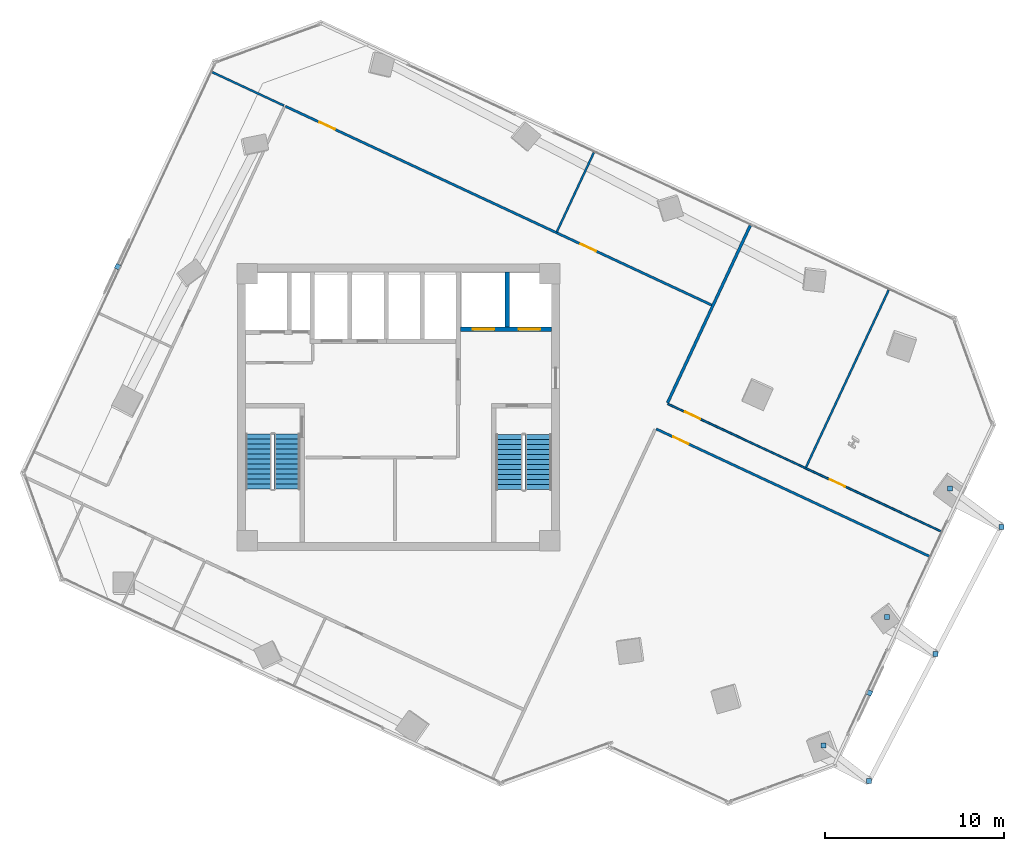
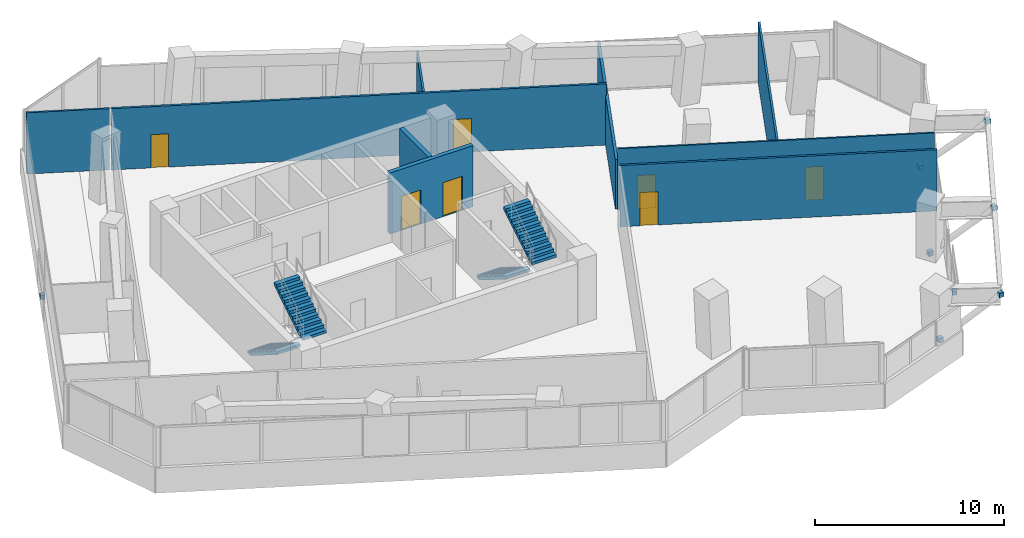
# One storey, part 17 of 21: 9 walls, 8 discrete accessories, 7 doors, 4 stair flights, 7 openings, 2 elements without a shape of their own.
"""IFC4 building model written with IfcOpenShell, lengths in metres."""

from ifc_helpers import new_model, si_unit, direction, frame, frame_2d, origin, origin_2d, place, context, subcontext, project, spatial, polyline, rectangle, outline, extrude, source, transform, mapped, material, layer, layer_set, type_object, element, fill, aggregate, save


model = new_model("IFC4")

# Units and contexts
model_context = context("Model", 3, precision=1e-05, world=origin(), true_north=direction((0.0, 1.0)))
body_context = subcontext(model_context, "Body", "Model", "MODEL_VIEW")
ifc_project = project(units=[si_unit("LENGTHUNIT", "METRE"), si_unit("AREAUNIT", "SQUARE_METRE"), si_unit("VOLUMEUNIT", "CUBIC_METRE"), si_unit("PLANEANGLEUNIT", "RADIAN"), si_unit("MASSUNIT", "GRAM", prefix="KILO")], contexts=[model_context])

# Site, building, storey
site_placement = place(None, origin())
site = spatial("IfcSite", under=ifc_project, at=site_placement, CompositionType="ELEMENT")
building_placement = place(site_placement, origin())
building = spatial("IfcBuilding", under=site, at=building_placement, Name="Torre Montelarca", CompositionType="ELEMENT")
storey_placement = place(building_placement, frame((0.0, 0.0, 162.39990234375)))
storey = spatial("IfcBuildingStorey", under=building, at=storey_placement, Name="L36", CompositionType="ELEMENT", Elevation=162.39990234375)

# Wall, openings, doors
ifc_material_1 = material(Name="Concrete C40/50", Category="concrete")
ifc_layer_1 = layer(ifc_material_1, 0.25, Name="Concrete C40/50", Category="concrete")
ifc_layer_set_1 = layer_set([ifc_layer_1], Name="Concrete C40/50")
wall_type_1 = type_object("IfcWallType", Name="CW-SHAFT-250", PredefinedType="SHEAR", material=ifc_layer_set_1)
wall_1_placement = place(storey_placement, frame((21.449951171875, 36.35009765625, 0.0), z_axis=(0.0, 0.0, 1.0), x_axis=(1.0, 0.0, 0.0)))
wall_1 = element("IfcWall", 1, at=wall_1_placement, inside=storey, type_object=wall_type_1, Name="L36 Core Shear Wall SH-FF-S", PredefinedType="SHEAR", context=body_context, shape_type="SweptSolid", body=[
    extrude(rectangle(XDim=5.090087890625, YDim=0.25, at=frame_2d((2.544921875, 0.0))), origin(), (0.0, 0.0, 1.0), 3.960205078125),
])
opening_1_placement = place(wall_1_placement, frame((0.699951171875, 0.0, 0.0)))
opening_1 = element("IfcOpeningElement", 2, at=opening_1_placement, cuts=wall_1, Name="Opening LD-120", PredefinedType="OPENING", context=body_context, shape_type="SweptSolid", body=[
    extrude(rectangle(XDim=1.199951171875, YDim=2.199951171875, at=frame_2d((0.60009765625, 1.10009765625))), frame((0.0, 0.135009765625, 0.0), z_axis=(0.0, -1.0, 0.0), x_axis=(1.0, 0.0, 0.0)), (0.0, 0.0, 1.0), 0.27001953125),
])
opening_2_placement = place(wall_1_placement, frame((3.25, 0.0, 0.0)))
opening_2 = element("IfcOpeningElement", 3, at=opening_2_placement, cuts=wall_1, Name="Opening LD-120", PredefinedType="OPENING", context=body_context, shape_type="SweptSolid", body=[
    extrude(rectangle(XDim=1.199951171875, YDim=2.199951171875, at=frame_2d((0.60009765625, 1.10009765625))), frame((0.0, 0.135009765625, 0.0), z_axis=(0.0, -1.0, 0.0), x_axis=(1.0, 0.0, 0.0)), (0.0, 0.0, 1.0), 0.27001953125),
])
ifc_material_2 = material(Name="Brushed stainless steel AISI 316", Category="steel")
door_type_1 = type_object("IfcDoorType", Name="DR-LIFT-120", OperationType="SLIDING_TO_RIGHT", PredefinedType="DOOR", material=ifc_material_2)
shared_shape_1 = source(origin(), body_context, "Body", "SweptSolid", [
    extrude(rectangle(XDim=1.199951171875, YDim=2.199951171875, at=frame_2d((0.60009765625, 1.10009765625))), frame((0.0, 0.02490234375, 0.0), z_axis=(0.0, -1.0, 0.0), x_axis=(1.0, 0.0, 0.0)), (0.0, 0.0, 1.0), 0.050048828125),
])
door_1_placement = place(opening_1_placement, origin())
door_1 = element("IfcDoor", 4, at=door_1_placement, inside=storey, type_object=door_type_1, Name="L36 Lift Landing Sliding Door FF-1", OperationType="SLIDING_TO_LEFT", OverallHeight=2.199951171875, OverallWidth=1.199951171875, PredefinedType="DOOR", context=body_context, shape_type="MappedRepresentation", body=[
    mapped(shared_shape_1, transform((0.0, 0.0, 0.0), scale=1.0)),
])
fill(opening_1, door_1)
door_2_placement = place(opening_2_placement, origin())
door_2 = element("IfcDoor", 5, at=door_2_placement, inside=storey, type_object=door_type_1, Name="L36 Lift Landing Sliding Door FF-2", OperationType="SLIDING_TO_RIGHT", OverallHeight=2.199951171875, OverallWidth=1.199951171875, PredefinedType="DOOR", context=body_context, shape_type="MappedRepresentation", body=[
    mapped(shared_shape_1, transform((0.0, 0.0, 0.0), scale=1.0)),
])
fill(opening_2, door_2)

# Walls
wall_2_placement = place(storey_placement, frame((24.080078125, 36.47998046875, 0.0), z_axis=(0.0, 0.0, 1.0), x_axis=(0.0, 1.0, 0.0)))
element("IfcWall", 6, at=wall_2_placement, inside=storey, type_object=wall_type_1, Name="L36 Core Shear Wall SH-FF-M", PredefinedType="SHEAR", context=body_context, shape_type="SweptSolid", body=[
    extrude(rectangle(XDim=3.06005859375, YDim=0.25, at=frame_2d((1.530029296875, 0.0))), origin(), (0.0, 0.0, 1.0), 3.960205078125),
])
ifc_material_3 = material(Name="Gypsum plasterboard on steel stud", Category="steel")
ifc_layer_2 = layer(ifc_material_3, 0.159912109375, Name="Gypsum plasterboard on steel stud", Category="steel")
ifc_layer_set_2 = layer_set([ifc_layer_2], Name="Gypsum plasterboard on steel stud")
wall_type_2 = type_object("IfcWallType", Name="PW-FIRE-160", PredefinedType="PARTITIONING", material=ifc_layer_set_2)
wall_3_placement = place(storey_placement, frame((33.01806640625, 32.234130859375, 0.0), z_axis=(0.0, 0.0, 1.0), x_axis=(0.422624006235, 0.906305108313, 0.0)))
element("IfcWall", 7, at=wall_3_placement, inside=storey, type_object=wall_type_2, Name="L36 Interior Partition W-L36-ECN", PredefinedType="PARTITIONING", context=body_context, shape_type="SweptSolid", body=[
    extrude(rectangle(XDim=10.940185546875, YDim=0.159912109375, at=frame_2d((5.47021484375, 0.0))), origin(), (0.0, 0.0, 1.0), 3.195068359375),
])

# Wall, openings, doors
ifc_material_4 = material(Name="Acoustic laminated glass partition", Category="glass")
ifc_layer_3 = layer(ifc_material_4, 0.10009765625, Name="Acoustic laminated glass partition", Category="glass")
ifc_layer_set_3 = layer_set([ifc_layer_3], Name="Acoustic laminated glass partition")
wall_type_3 = type_object("IfcWallType", Name="PW-GLAZ-100", PredefinedType="PARTITIONING", material=ifc_layer_set_3)
wall_4_placement = place(storey_placement, frame((33.03759765625, 32.180908203125, 0.0), z_axis=(0.0, 0.0, 1.0), x_axis=(0.906309400931, -0.422614800716, 0.0)))
wall_4 = element("IfcWall", 8, at=wall_4_placement, inside=storey, type_object=wall_type_3, Name="L36 Interior Partition W-L36-NE-S", PredefinedType="PARTITIONING", context=body_context, shape_type="SweptSolid", body=[
    extrude(rectangle(XDim=16.839599609375, YDim=0.10009765625, at=frame_2d((8.419921875, 0.0))), origin(), (0.0, 0.0, 1.0), 3.960205078125),
])
opening_3_placement = place(wall_4_placement, frame((1.050048828125, 0.0, 0.0)))
opening_3 = element("IfcOpeningElement", 9, at=opening_3_placement, cuts=wall_4, Name="Opening ID-095", PredefinedType="OPENING", context=body_context, shape_type="SweptSolid", body=[
    extrude(rectangle(XDim=0.949951171875, YDim=2.14990234375, at=frame_2d((0.47509765625, 1.074951171875))), frame((0.0, 0.06005859375, 0.0), z_axis=(0.0, -1.0, 0.0), x_axis=(1.0, 0.0, 0.0)), (0.0, 0.0, 1.0), 0.1201171875),
])
opening_4_placement = place(wall_4_placement, frame((9.97998046875, 0.0, 0.0)))
opening_4 = element("IfcOpeningElement", 10, at=opening_4_placement, cuts=wall_4, Name="Opening ID-095", PredefinedType="OPENING", context=body_context, shape_type="SweptSolid", body=[
    extrude(rectangle(XDim=0.949951171875, YDim=2.14990234375, at=frame_2d((0.47509765625, 1.074951171875))), frame((0.0, 0.06005859375, 0.0), z_axis=(0.0, -1.0, 0.0), x_axis=(1.0, 0.0, 0.0)), (0.0, 0.0, 1.0), 0.1201171875),
])
ifc_material_5 = material(Name="Hardwood acoustic timber veneer", Category="wood")
door_type_2 = type_object("IfcDoorType", Name="DR-INT-095", OperationType="NOTDEFINED", PredefinedType="DOOR", material=ifc_material_5)
shared_shape_2 = source(origin(), body_context, "Body", "SweptSolid", [
    extrude(rectangle(XDim=0.949951171875, YDim=2.14990234375, at=frame_2d((0.47509765625, 1.074951171875))), frame((0.0, 0.02490234375, 0.0), z_axis=(0.0, -1.0, 0.0), x_axis=(1.0, 0.0, 0.0)), (0.0, 0.0, 1.0), 0.050048828125),
])
door_3_placement = place(opening_3_placement, origin())
door_3 = element("IfcDoor", 11, at=door_3_placement, inside=storey, type_object=door_type_2, Name="L36 Interior Door 12", OperationType="SINGLE_SWING_LEFT", OverallHeight=2.14990234375, OverallWidth=0.949951171875, PredefinedType="DOOR", context=body_context, shape_type="MappedRepresentation", body=[
    mapped(shared_shape_2, transform((0.0, 0.0, 0.0), scale=1.0)),
])
fill(opening_3, door_3)
door_4_placement = place(opening_4_placement, origin())
door_4 = element("IfcDoor", 12, at=door_4_placement, inside=storey, type_object=door_type_2, Name="L36 Interior Door 13", OperationType="SINGLE_SWING_RIGHT", OverallHeight=2.14990234375, OverallWidth=0.949951171875, PredefinedType="DOOR", context=body_context, shape_type="MappedRepresentation", body=[
    mapped(shared_shape_2, transform((0.0, 0.0, 0.0), scale=1.0)),
])
fill(opening_4, door_4)

# Walls
ifc_layer_4 = layer(ifc_material_3, 0.114990234375, Name="Gypsum plasterboard on steel stud", Category="steel")
ifc_layer_set_4 = layer_set([ifc_layer_4], Name="Gypsum plasterboard on steel stud")
wall_type_4 = type_object("IfcWallType", Name="PW-PART-115", PredefinedType="PARTITIONING", material=ifc_layer_set_4)
wall_5_placement = place(storey_placement, frame((26.833984375, 41.782470703125, 0.0), z_axis=(0.0, 0.0, 1.0), x_axis=(0.422631768009, 0.906301488838, 0.0)))
element("IfcWall", 13, at=wall_5_placement, inside=storey, type_object=wall_type_4, Name="L36 Interior Partition W-L36-NDIV-1", PredefinedType="PARTITIONING", context=body_context, shape_type="SweptSolid", body=[
    extrude(rectangle(XDim=4.899658203125, YDim=0.114990234375, at=frame_2d((2.44970703125, 0.0))), origin(), (0.0, 0.0, 1.0), 3.195068359375),
])
wall_6_placement = place(storey_placement, frame((7.585205078125, 50.714111328125, 0.0), z_axis=(0.0, 0.0, 1.0), x_axis=(0.906295742894, -0.422644089526, 0.0)))
element("IfcWall", 14, at=wall_6_placement, inside=storey, type_object=wall_type_4, Name="L36 Interior Partition W-L36-WWGN", PredefinedType="PARTITIONING", context=body_context, shape_type="SweptSolid", body=[
    extrude(rectangle(XDim=4.429931640625, YDim=0.114990234375, at=frame_2d((2.21484375, 0.0))), origin(), (0.0, 0.0, 1.0), 3.960205078125),
])
wall_7_placement = place(storey_placement, frame((40.748779296875, 28.62939453125, 0.0), z_axis=(0.0, 0.0, 1.0), x_axis=(0.422632554077, 0.906301122274, 0.0)))
element("IfcWall", 15, at=wall_7_placement, inside=storey, type_object=wall_type_4, Name="L36 Interior Partition W-L36-NEDIV-1", PredefinedType="PARTITIONING", context=body_context, shape_type="SweptSolid", body=[
    extrude(rectangle(XDim=10.93994140625, YDim=0.114990234375, at=frame_2d((5.469970703125, 0.0))), origin(), (0.0, 0.0, 1.0), 3.960205078125),
])

# Wall, openings, doors
ifc_layer_5 = layer(ifc_material_3, 0.135009765625, Name="Gypsum plasterboard on steel stud", Category="steel")
ifc_layer_set_5 = layer_set([ifc_layer_5], Name="Gypsum plasterboard on steel stud")
wall_type_5 = type_object("IfcWallType", Name="PW-PART-135", PredefinedType="PARTITIONING", material=ifc_layer_set_5)
wall_8_placement = place(storey_placement, frame((11.672607421875, 48.80810546875, 0.0), z_axis=(0.0, 0.0, 1.0), x_axis=(0.906307085664, -0.422619765836, 0.0)))
wall_8 = element("IfcWall", 16, at=wall_8_placement, inside=storey, type_object=wall_type_5, Name="L36 Interior Partition W-L36-NBOT", PredefinedType="PARTITIONING", context=body_context, shape_type="SweptSolid", body=[
    extrude(rectangle(XDim=26.31005859375, YDim=0.135009765625, at=frame_2d((13.155029296875, 0.0))), origin(), (0.0, 0.0, 1.0), 3.960205078125),
])
opening_5_placement = place(wall_8_placement, frame((2.10009765625, 0.0, 0.0)))
opening_5 = element("IfcOpeningElement", 17, at=opening_5_placement, cuts=wall_8, Name="Opening ID-095", PredefinedType="OPENING", context=body_context, shape_type="SweptSolid", body=[
    extrude(rectangle(XDim=0.949951171875, YDim=2.14990234375, at=frame_2d((0.47509765625, 1.074951171875))), frame((0.0, 0.07763671875, 0.0), z_axis=(0.0, -1.0, 0.0), x_axis=(1.0, 0.0, 0.0)), (0.0, 0.0, 1.0), 0.155029296875),
])
opening_6_placement = place(wall_8_placement, frame((18.199951171875, 0.0, 0.0)))
opening_6 = element("IfcOpeningElement", 18, at=opening_6_placement, cuts=wall_8, Name="Opening ID-095", PredefinedType="OPENING", context=body_context, shape_type="SweptSolid", body=[
    extrude(rectangle(XDim=0.949951171875, YDim=2.14990234375, at=frame_2d((0.47509765625, 1.074951171875))), frame((0.0, 0.07763671875, 0.0), z_axis=(0.0, -1.0, 0.0), x_axis=(1.0, 0.0, 0.0)), (0.0, 0.0, 1.0), 0.155029296875),
])
door_5_placement = place(opening_5_placement, origin())
door_5 = element("IfcDoor", 19, at=door_5_placement, inside=storey, type_object=door_type_2, Name="L36 Interior Door 08", OperationType="SINGLE_SWING_LEFT", OverallHeight=2.14990234375, OverallWidth=0.949951171875, PredefinedType="DOOR", context=body_context, shape_type="MappedRepresentation", body=[
    mapped(shared_shape_2, transform((0.0, 0.0, 0.0), scale=1.0)),
])
fill(opening_5, door_5)
door_6_placement = place(opening_6_placement, origin())
door_6 = element("IfcDoor", 20, at=door_6_placement, inside=storey, type_object=door_type_2, Name="L36 Interior Door 09", OperationType="SINGLE_SWING_RIGHT", OverallHeight=2.14990234375, OverallWidth=0.949951171875, PredefinedType="DOOR", context=body_context, shape_type="MappedRepresentation", body=[
    mapped(shared_shape_2, transform((0.0, 0.0, 0.0), scale=1.0)),
])
fill(opening_6, door_6)

# Wall, opening, door
wall_9_placement = place(storey_placement, frame((32.38671875, 30.785400390625, 0.0), z_axis=(0.0, 0.0, 1.0), x_axis=(0.906303847891, -0.422626709163, 0.0)))
wall_9 = element("IfcWall", 21, at=wall_9_placement, inside=storey, type_object=wall_type_5, Name="L36 Interior Partition W-L36-SE-N", PredefinedType="PARTITIONING", context=body_context, shape_type="SweptSolid", body=[
    extrude(rectangle(XDim=16.83984375, YDim=0.135009765625, at=frame_2d((8.419921875, 0.0))), origin(), (0.0, 0.0, 1.0), 3.960205078125),
])
opening_7_placement = place(wall_9_placement, frame((1.050048828125, 0.0, 0.0)))
opening_7 = element("IfcOpeningElement", 22, at=opening_7_placement, cuts=wall_9, Name="Opening ID-095", PredefinedType="OPENING", context=body_context, shape_type="SweptSolid", body=[
    extrude(rectangle(XDim=0.949951171875, YDim=2.14990234375, at=frame_2d((0.47509765625, 1.074951171875))), frame((0.0, 0.07763671875, 0.0), z_axis=(0.0, -1.0, 0.0), x_axis=(1.0, 0.0, 0.0)), (0.0, 0.0, 1.0), 0.155029296875),
])
door_7_placement = place(opening_7_placement, origin())
door_7 = element("IfcDoor", 23, at=door_7_placement, inside=storey, type_object=door_type_2, Name="L36 Interior Door 14", OperationType="SINGLE_SWING_LEFT", OverallHeight=2.14990234375, OverallWidth=0.949951171875, PredefinedType="DOOR", context=body_context, shape_type="MappedRepresentation", body=[
    mapped(shared_shape_2, transform((0.0, 0.0, 0.0), scale=1.0)),
])
fill(opening_7, door_7)

# Stair, stair flights
stair_type_1 = type_object("IfcStairType", Name="ST-CORE-ST1", PredefinedType="HALF_TURN_STAIR", material=ifc_material_1)
stair_1_placement = place(storey_placement, origin())
stair_1 = element("IfcStair", 24, at=stair_1_placement, inside=storey, type_object=stair_type_1, Name="L36 Protected Exit Stair ST1", PredefinedType="HALF_TURN_STAIR")
stair_flight_type_1 = type_object("IfcStairFlightType", Name="SFL-CORE-ST1", PredefinedType="STRAIGHT", material=ifc_material_1)
stair_flight_1_placement = place(storey_placement, frame((10.175048828125, 30.5, 0.0), z_axis=(0.0, 0.0, 1.0), x_axis=(0.0, -1.0, 0.0)))
stair_flight_1 = element("IfcStairFlight", 25, at=stair_flight_1_placement, type_object=stair_flight_type_1, Name="ST1 flight 1", NumberOfRisers=12, NumberOfTreads=11, PredefinedType="STRAIGHT", RiserHeight=0.175, TreadLength=0.28, context=body_context, shape_type="SweptSolid", body=[
    extrude(outline(polyline([(0.0, 0.0), (0.0, 0.175048828125), (0.280029296875, 0.175048828125), (0.280029296875, 0.35009765625), (0.56005859375, 0.35009765625), (0.56005859375, 0.52490234375), (0.840087890625, 0.52490234375), (0.840087890625, 0.699951171875), (1.1201171875, 0.699951171875), (1.1201171875, 0.875), (1.39990234375, 0.875), (1.39990234375, 1.050048828125), (1.679931640625, 1.050048828125), (1.679931640625, 1.22509765625), (1.9599609375, 1.22509765625), (1.9599609375, 1.39990234375), (2.239990234375, 1.39990234375), (2.239990234375, 1.574951171875), (2.52001953125, 1.574951171875), (2.52001953125, 1.75), (2.800048828125, 1.75), (2.800048828125, 1.925048828125), (3.080078125, 1.925048828125), (3.080078125, 2.10009765625), (3.080078125, 1.748291015625), (0.28271484375, 0.0), (0.0, 0.0)])), frame((0.0, 0.72509765625, 0.0), z_axis=(0.0, -1.0, 0.0), x_axis=(1.0, 0.0, 0.0)), (0.0, 0.0, 1.0), 1.449951171875),
])
stair_flight_2_placement = place(storey_placement, frame((11.77490234375, 27.419921875, 2.10009765625), z_axis=(0.0, 0.0, 1.0), x_axis=(0.0, 1.0, 0.0)))
stair_flight_2 = element("IfcStairFlight", 26, at=stair_flight_2_placement, type_object=stair_flight_type_1, Name="ST1 flight 2", NumberOfRisers=12, NumberOfTreads=11, PredefinedType="STRAIGHT", RiserHeight=0.175, TreadLength=0.28, context=body_context, shape_type="SweptSolid", body=[
    extrude(outline(polyline([(0.0, 0.0), (0.0, 0.175048828125), (0.280029296875, 0.175048828125), (0.280029296875, 0.35009765625), (0.56005859375, 0.35009765625), (0.56005859375, 0.52490234375), (0.840087890625, 0.52490234375), (0.840087890625, 0.699951171875), (1.1201171875, 0.699951171875), (1.1201171875, 0.875), (1.39990234375, 0.875), (1.39990234375, 1.050048828125), (1.679931640625, 1.050048828125), (1.679931640625, 1.22509765625), (1.9599609375, 1.22509765625), (1.9599609375, 1.39990234375), (2.239990234375, 1.39990234375), (2.239990234375, 1.574951171875), (2.52001953125, 1.574951171875), (2.52001953125, 1.75), (2.800048828125, 1.75), (2.800048828125, 1.925048828125), (3.080078125, 1.925048828125), (3.080078125, 2.10009765625), (3.080078125, 1.748291015625), (0.28271484375, 0.0), (0.0, 0.0)])), frame((0.0, 0.72509765625, 0.0), z_axis=(0.0, -1.0, 0.0), x_axis=(1.0, 0.0, 0.0)), (0.0, 0.0, 1.0), 1.449951171875),
])
aggregate(stair_1, [stair_flight_1, stair_flight_2])

stair_type_2 = type_object("IfcStairType", Name="ST-CORE-ST2", PredefinedType="HALF_TURN_STAIR", material=ifc_material_1)
stair_2_placement = place(storey_placement, origin())
stair_2 = element("IfcStair", 27, at=stair_2_placement, inside=storey, type_object=stair_type_2, Name="L36 Protected Exit Stair ST2", PredefinedType="HALF_TURN_STAIR")
stair_flight_type_2 = type_object("IfcStairFlightType", Name="SFL-CORE-ST2", PredefinedType="STRAIGHT", material=ifc_material_1)
stair_flight_3_placement = place(storey_placement, frame((24.179931640625, 30.469970703125, 0.0), z_axis=(0.0, 0.0, 1.0), x_axis=(0.0, -1.0, 0.0)))
stair_flight_3 = element("IfcStairFlight", 28, at=stair_flight_3_placement, type_object=stair_flight_type_2, Name="ST2 flight 1", NumberOfRisers=12, NumberOfTreads=11, PredefinedType="STRAIGHT", RiserHeight=0.175, TreadLength=0.28, context=body_context, shape_type="SweptSolid", body=[
    extrude(outline(polyline([(0.0, 0.0), (0.0, 0.175048828125), (0.280029296875, 0.175048828125), (0.280029296875, 0.35009765625), (0.56005859375, 0.35009765625), (0.56005859375, 0.52490234375), (0.840087890625, 0.52490234375), (0.840087890625, 0.699951171875), (1.1201171875, 0.699951171875), (1.1201171875, 0.875), (1.39990234375, 0.875), (1.39990234375, 1.050048828125), (1.679931640625, 1.050048828125), (1.679931640625, 1.22509765625), (1.9599609375, 1.22509765625), (1.9599609375, 1.39990234375), (2.239990234375, 1.39990234375), (2.239990234375, 1.574951171875), (2.52001953125, 1.574951171875), (2.52001953125, 1.75), (2.800048828125, 1.75), (2.800048828125, 1.925048828125), (3.080078125, 1.925048828125), (3.080078125, 2.10009765625), (3.080078125, 1.748291015625), (0.28271484375, 0.0), (0.0, 0.0)])), frame((0.0, 0.739990234375, 0.0), z_axis=(0.0, -1.0, 0.0), x_axis=(1.0, 0.0, 0.0)), (0.0, 0.0, 1.0), 1.47998046875),
])
stair_flight_4_placement = place(storey_placement, frame((25.81005859375, 27.389892578125, 2.10009765625), z_axis=(0.0, 0.0, 1.0), x_axis=(0.0, 1.0, 0.0)))
stair_flight_4 = element("IfcStairFlight", 29, at=stair_flight_4_placement, type_object=stair_flight_type_2, Name="ST2 flight 2", NumberOfRisers=12, NumberOfTreads=11, PredefinedType="STRAIGHT", RiserHeight=0.175, TreadLength=0.28, context=body_context, shape_type="SweptSolid", body=[
    extrude(outline(polyline([(0.0, 0.0), (0.0, 0.175048828125), (0.280029296875, 0.175048828125), (0.280029296875, 0.35009765625), (0.56005859375, 0.35009765625), (0.56005859375, 0.52490234375), (0.840087890625, 0.52490234375), (0.840087890625, 0.699951171875), (1.1201171875, 0.699951171875), (1.1201171875, 0.875), (1.39990234375, 0.875), (1.39990234375, 1.050048828125), (1.679931640625, 1.050048828125), (1.679931640625, 1.22509765625), (1.9599609375, 1.22509765625), (1.9599609375, 1.39990234375), (2.239990234375, 1.39990234375), (2.239990234375, 1.574951171875), (2.52001953125, 1.574951171875), (2.52001953125, 1.75), (2.800048828125, 1.75), (2.800048828125, 1.925048828125), (3.080078125, 1.925048828125), (3.080078125, 2.10009765625), (3.080078125, 1.748291015625), (0.28271484375, 0.0), (0.0, 0.0)])), frame((0.0, 0.739990234375, 0.0), z_axis=(0.0, -1.0, 0.0), x_axis=(1.0, 0.0, 0.0)), (0.0, 0.0, 1.0), 1.47998046875),
])
aggregate(stair_2, [stair_flight_3, stair_flight_4])

# Discrete accessories
ifc_material_6 = material(Name="Stainless steel AISI 316", Category="steel")
discrete_accessory_type = type_object("IfcDiscreteAccessoryType", Name="ACC-BRACKET-SS", PredefinedType="BRACKET", material=ifc_material_6)
shared_shape_3 = source(origin(), body_context, "Body", "SweptSolid", [
    extrude(rectangle(XDim=0.280029296875, YDim=0.280029296875, at=origin_2d()), origin(), (0.0, 0.0, 1.0), 0.280029296875),
])
for number, where, z_axis, x_axis, name in (
    (30, (41.728759765625, 13.1044921875, 0.01025390625), (0.0, 0.0, 1.0), (1.0, 0.0, 0.0), "L37 Raker End Connection Bracket E1-FT"),
    (31, (44.283203125, 11.12060546875, 3.2451171875), (0.0, 0.0, 1.0), (1.0, 0.0, 0.0), "L37 Raker End Connection Bracket E1-HD"),
    (32, (45.26708984375, 20.279296875, 0.01025390625), (0.0, 0.0, 1.0), (1.0, 0.0, 0.0), "L37 Raker End Connection Bracket E2-FT"),
    (33, (47.977294921875, 18.216796875, 3.2451171875), (0.0, 0.0, 1.0), (1.0, 0.0, 0.0), "L37 Raker End Connection Bracket E2-HD"),
    (34, (48.805419921875, 27.454345703125, 0.01025390625), (0.0, 0.0, 1.0), (1.0, 0.0, 0.0), "L37 Raker End Connection Bracket E3-FT"),
    (35, (51.67138671875, 25.31298828125, 3.2451171875), (0.0, 0.0, 1.0), (1.0, 0.0, 0.0), "L37 Raker End Connection Bracket E3-HD"),
):
    element("IfcDiscreteAccessory", number, at=place(storey_placement, frame(where, z_axis=z_axis, x_axis=x_axis)), inside=storey, type_object=discrete_accessory_type, Name=name, PredefinedType="BRACKET", context=body_context, shape_type="MappedRepresentation", body=[
        mapped(shared_shape_3, transform((0.0, 0.0, 0.0), scale=1.0)),
    ])
shared_shape_4 = source(origin(), body_context, "Body", "SweptSolid", [
    extrude(rectangle(XDim=0.280029296875, YDim=0.260009765625, at=origin_2d()), origin(), (0.0, 0.0, 1.0), 0.239990234375),
])
for number, where, z_axis, x_axis, name in (
    (36, (44.310302734375, 16.03564453125, 0.39990234375), (0.0, 0.0, 1.0), (0.422618261741, 0.906307787037, 0.0), "L36 Solar Screen Support Bracket E6-1"),
    (37, (2.298583984375, 39.850341796875, 0.39990234375), (0.0, 0.0, 1.0), (-0.422618261741, -0.906307787037, 0.0), "L36 Solar Screen Support Bracket E10-1"),
):
    element("IfcDiscreteAccessory", number, at=place(storey_placement, frame(where, z_axis=z_axis, x_axis=x_axis)), inside=storey, type_object=discrete_accessory_type, Name=name, PredefinedType="BRACKET", context=body_context, shape_type="MappedRepresentation", body=[
        mapped(shared_shape_4, transform((0.0, 0.0, 0.0), scale=1.0)),
    ])

save(model, "model.ifc")
